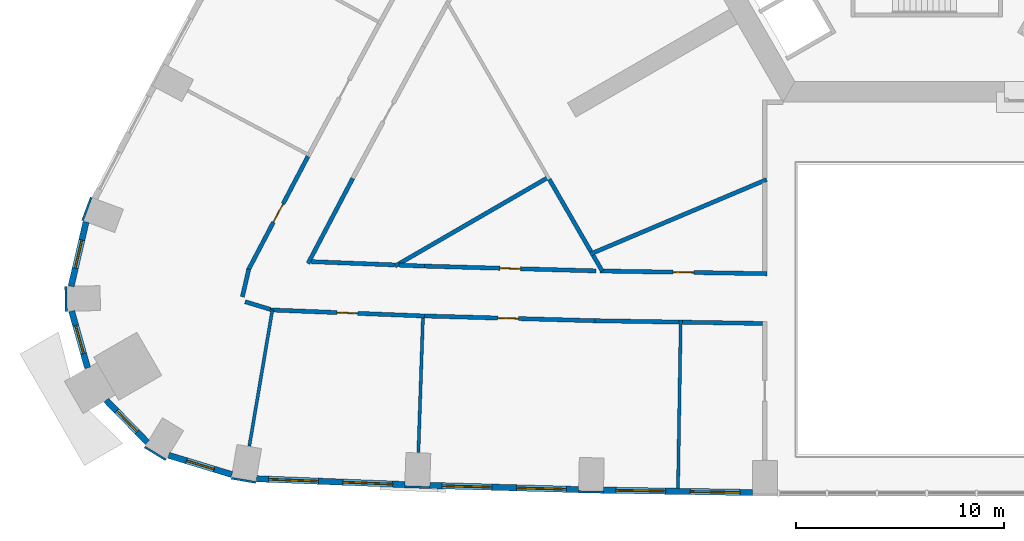
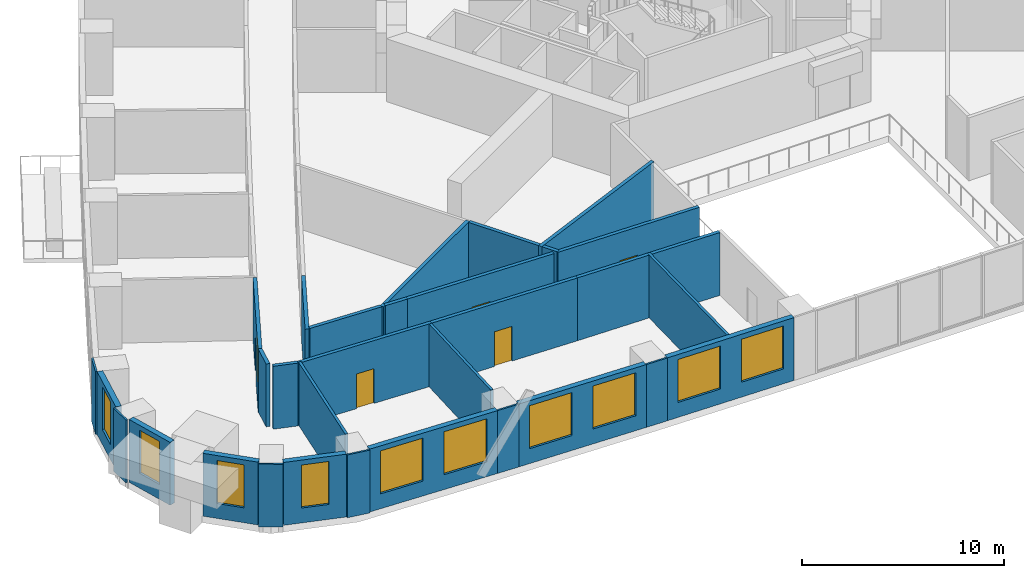
# One storey, part 4 of 16: 32 walls, 10 windows, 5 doors, 15 openings.
"""IFC4 building model written with IfcOpenShell, lengths in metres."""

from ifc_helpers import new_model, si_unit, direction, frame, frame_2d, origin, place, context, subcontext, project, spatial, rectangle, extrude, material, layer, layer_set, type_object, element, fill, save


model = new_model("IFC4")

# Units and contexts
model_context = context("Model", 3, precision=1e-05, world=origin(), true_north=direction((0.0, 1.0)))
body_context = subcontext(model_context, "Body", "Model", "MODEL_VIEW")
ifc_project = project(units=[si_unit("LENGTHUNIT", "METRE"), si_unit("AREAUNIT", "SQUARE_METRE"), si_unit("VOLUMEUNIT", "CUBIC_METRE"), si_unit("PLANEANGLEUNIT", "RADIAN"), si_unit("MASSUNIT", "GRAM", prefix="KILO")], contexts=[model_context])

# Site, building, storey
site_placement = place(None, origin())
site = spatial("IfcSite", under=ifc_project, at=site_placement, CompositionType="ELEMENT")
building_placement = place(site_placement, origin())
building = spatial("IfcBuilding", under=site, at=building_placement, Name="Entoto Arch Interchange Tower", CompositionType="ELEMENT")
storey_placement = place(building_placement, frame((0.0, 0.0, 43.39990234375)))
storey = spatial("IfcBuildingStorey", under=building, at=storey_placement, Name="L08", CompositionType="ELEMENT", Elevation=43.39990234375)

# Walls
ifc_material_1 = material(Name="Gypsum board partition on steel studs", Category="steel")
ifc_layer_1 = layer(ifc_material_1, 0.14990234375)
ifc_layer_set_1 = layer_set([ifc_layer_1], Name="Gypsum board partition on steel studs")
wall_type_1 = type_object("IfcWallType", Name="PARTITION 150", PredefinedType="PARTITIONING", material=ifc_layer_set_1)
wall_1_placement = place(storey_placement, frame((-31.514892578125, -19.506103515625, 0.0), z_axis=(0.0, 0.0, 1.0), x_axis=(-0.166785823947, -0.985993148521, 0.0)))
element("IfcWall", 1, at=wall_1_placement, inside=storey, type_object=wall_type_1, Name="wall:L08:p144", PredefinedType="PARTITIONING", context=body_context, shape_type="SweptSolid", body=[
    extrude(rectangle(XDim=6.650146484375, YDim=0.14990234375, at=frame_2d((3.3251953125, 0.0))), origin(), (0.0, 0.0, 1.0), 3.800048828125),
])
wall_2_placement = place(storey_placement, frame((-24.263916015625, -19.89208984375, 0.0), z_axis=(0.0, 0.0, 1.0), x_axis=(-0.033647289587, -0.999433769643, 0.0)))
element("IfcWall", 2, at=wall_2_placement, inside=storey, type_object=wall_type_1, Name="wall:L08:p145", PredefinedType="PARTITIONING", context=body_context, shape_type="SweptSolid", body=[
    extrude(rectangle(XDim=6.4794921875, YDim=0.14990234375, at=frame_2d((3.23974609375, 0.0))), origin(), (0.0, 0.0, 1.0), 3.800048828125),
])
wall_3_placement = place(storey_placement, frame((-11.847900390625, -19.990966796875, 0.0), z_axis=(0.0, 0.0, 1.0), x_axis=(-0.016305783899, -0.999867051868, 0.0)))
element("IfcWall", 3, at=wall_3_placement, inside=storey, type_object=wall_type_1, Name="wall:L08:p146", PredefinedType="PARTITIONING", context=body_context, shape_type="SweptSolid", body=[
    extrude(rectangle(XDim=8.10009765625, YDim=0.14990234375, at=frame_2d((4.050048828125, 0.0))), origin(), (0.0, 0.0, 1.0), 3.800048828125),
])

# Wall, opening, door
ifc_layer_2 = layer(ifc_material_1, 0.199951171875)
ifc_layer_set_2 = layer_set([ifc_layer_2], Name="Gypsum board partition on steel studs")
wall_type_2 = type_object("IfcWallType", Name="PARTITION 200", PredefinedType="PARTITIONING", material=ifc_layer_set_2)
wall_4_placement = place(storey_placement, frame((-15.72998046875, -17.626953125, 0.0), z_axis=(0.0, 0.0, 1.0), x_axis=(0.999866746812, -0.016324479129, 0.0)))
wall_4 = element("IfcWall", 4, at=wall_4_placement, inside=storey, type_object=wall_type_2, Name="wall:L08:p028", PredefinedType="PARTITIONING", context=body_context, shape_type="SweptSolid", body=[
    extrude(rectangle(XDim=8.031005859375, YDim=0.199951171875, at=frame_2d((4.015625, 0.0))), origin(), (0.0, 0.0, 1.0), 3.800048828125),
])
opening_1_placement = place(wall_4_placement, frame((3.514892578125, 0.0, 0.0)))
opening_1 = element("IfcOpeningElement", 5, at=opening_1_placement, cuts=wall_4, Name="Opening L08-D31", PredefinedType="OPENING", context=body_context, shape_type="SweptSolid", body=[
    extrude(rectangle(XDim=1.0, YDim=2.10009765625, at=frame_2d((0.5, 1.050048828125))), frame((0.0, 0.10986328125, 0.0), z_axis=(0.0, -1.0, 0.0), x_axis=(1.0, 0.0, 0.0)), (0.0, 0.0, 1.0), 0.219970703125),
])
ifc_material_2 = material(Name="Timber door leaf in Steel S235 frame", Category="steel")
door_type = type_object("IfcDoorType", Name="DOOR DS-10 1000x2100", OperationType="SINGLE_SWING_LEFT", PredefinedType="DOOR", material=ifc_material_2)
door_1_placement = place(opening_1_placement, origin())
door_1 = element("IfcDoor", 6, at=door_1_placement, inside=storey, type_object=door_type, Name="door:L08:31", OperationType="SINGLE_SWING_LEFT", OverallHeight=2.10009765625, OverallWidth=1.0, PredefinedType="DOOR", context=body_context, shape_type="SweptSolid", body=[
    extrude(rectangle(XDim=1.0, YDim=2.10009765625, at=frame_2d((0.5, 1.050048828125))), frame((0.0, 0.02490234375, 0.0), z_axis=(0.0, -1.0, 0.0), x_axis=(1.0, 0.0, 0.0)), (0.0, 0.0, 1.0), 0.050048828125),
])
fill(opening_1, door_1)

# Walls
wall_5_placement = place(storey_placement, frame((-27.64404296875, -13.1669921875, 0.0), z_axis=(0.0, 0.0, 1.0), x_axis=(-0.464919738277, -0.885352831904, 0.0)))
element("IfcWall", 7, at=wall_5_placement, inside=storey, type_object=wall_type_2, Name="wall:L08:p031", PredefinedType="PARTITIONING", context=body_context, shape_type="SweptSolid", body=[
    extrude(rectangle(XDim=4.62646484375, YDim=0.199951171875, at=frame_2d((2.313232421875, 0.0))), origin(), (0.0, 0.0, 1.0), 3.800048828125),
])
wall_6_placement = place(storey_placement, frame((-29.638916015625, -17.177978515625, 0.0), z_axis=(0.0, 0.0, 1.0), x_axis=(0.999228076722, -0.039284229546, 0.0)))
element("IfcWall", 8, at=wall_6_placement, inside=storey, type_object=wall_type_2, Name="wall:L08:p032", PredefinedType="PARTITIONING", context=body_context, shape_type="SweptSolid", body=[
    extrude(rectangle(XDim=4.02099609375, YDim=0.199951171875, at=frame_2d((2.010498046875, 0.0))), origin(), (0.0, 0.0, 1.0), 3.800048828125),
])
wall_7_placement = place(storey_placement, frame((-25.4208984375, -17.343994140625, 0.0), z_axis=(0.0, 0.0, 1.0), x_axis=(0.999219068508, -0.039512695804, 0.0)))
element("IfcWall", 9, at=wall_7_placement, inside=storey, type_object=wall_type_2, Name="wall:L08:p033", PredefinedType="PARTITIONING", context=body_context, shape_type="SweptSolid", body=[
    extrude(rectangle(XDim=1.241943359375, YDim=0.199951171875, at=frame_2d((0.62109375, 0.0))), origin(), (0.0, 0.0, 1.0), 3.800048828125),
])

# Wall, opening, door
wall_8_placement = place(storey_placement, frame((-24.179931640625, -17.39306640625, 0.0), z_axis=(0.0, 0.0, 1.0), x_axis=(0.999611380121, -0.02787631132, 0.0)))
wall_8 = element("IfcWall", 10, at=wall_8_placement, inside=storey, type_object=wall_type_2, Name="wall:L08:p034", PredefinedType="PARTITIONING", context=body_context, shape_type="SweptSolid", body=[
    extrude(rectangle(XDim=8.25, YDim=0.199951171875, at=frame_2d((4.125, 0.0))), origin(), (0.0, 0.0, 1.0), 3.800048828125),
])
opening_2_placement = place(wall_8_placement, frame((3.625, 0.0, 0.0)))
opening_2 = element("IfcOpeningElement", 11, at=opening_2_placement, cuts=wall_8, Name="Opening L08-D33", PredefinedType="OPENING", context=body_context, shape_type="SweptSolid", body=[
    extrude(rectangle(XDim=1.0, YDim=2.10009765625, at=frame_2d((0.5, 1.050048828125))), frame((0.0, 0.10986328125, 0.0), z_axis=(0.0, -1.0, 0.0), x_axis=(1.0, 0.0, 0.0)), (0.0, 0.0, 1.0), 0.219970703125),
])
door_2_placement = place(opening_2_placement, origin())
door_2 = element("IfcDoor", 12, at=door_2_placement, inside=storey, type_object=door_type, Name="door:L08:33", OperationType="SINGLE_SWING_RIGHT", OverallHeight=2.10009765625, OverallWidth=1.0, PredefinedType="DOOR", context=body_context, shape_type="SweptSolid", body=[
    extrude(rectangle(XDim=1.0, YDim=2.10009765625, at=frame_2d((0.5, 1.050048828125))), frame((0.0, 0.02490234375, 0.0), z_axis=(0.0, -1.0, 0.0), x_axis=(1.0, 0.0, 0.0)), (0.0, 0.0, 1.0), 0.050048828125),
])
fill(opening_2, door_2)

# Walls
wall_9_placement = place(storey_placement, frame((-31.611083984375, -19.47705078125, 0.0), z_axis=(0.0, 0.0, 1.0), x_axis=(-0.956459113118, 0.291866347723, 0.0)))
element("IfcWall", 13, at=wall_9_placement, inside=storey, type_object=wall_type_2, Name="wall:L08:p066", PredefinedType="PARTITIONING", context=body_context, shape_type="SweptSolid", body=[
    extrude(rectangle(XDim=1.26806640625, YDim=0.199951171875, at=frame_2d((0.634033203125, 0.0))), origin(), (0.0, 0.0, 1.0), 3.800048828125),
])
wall_10_placement = place(storey_placement, frame((-32.9599609375, -18.8740234375, 0.0), z_axis=(0.0, 0.0, 1.0), x_axis=(0.226081445763, 0.974108402531, 0.0)))
element("IfcWall", 14, at=wall_10_placement, inside=storey, type_object=wall_type_2, Name="wall:L08:p067", PredefinedType="PARTITIONING", context=body_context, shape_type="SweptSolid", body=[
    extrude(rectangle(XDim=1.371337890625, YDim=0.199951171875, at=frame_2d((0.685546875, 0.0))), origin(), (0.0, 0.0, 1.0), 3.800048828125),
])

# Wall, opening, door
wall_11_placement = place(storey_placement, frame((-32.696044921875, -17.6259765625, 0.0), z_axis=(0.0, 0.0, 1.0), x_axis=(0.464767882002, 0.885432558617, 0.0)))
wall_11 = element("IfcWall", 15, at=wall_11_placement, inside=storey, type_object=wall_type_2, Name="wall:L08:p068", PredefinedType="PARTITIONING", context=body_context, shape_type="SweptSolid", body=[
    extrude(rectangle(XDim=6.233154296875, YDim=0.199951171875, at=frame_2d((3.11669921875, 0.0))), origin(), (0.0, 0.0, 1.0), 3.800048828125),
])
opening_3_placement = place(wall_11_placement, frame((2.654052734375, 0.0, 0.0)))
opening_3 = element("IfcOpeningElement", 16, at=opening_3_placement, cuts=wall_11, Name="Opening L08-D19", PredefinedType="OPENING", context=body_context, shape_type="SweptSolid", body=[
    extrude(rectangle(XDim=1.0, YDim=2.10009765625, at=frame_2d((0.5, 1.050048828125))), frame((0.0, 0.10986328125, 0.0), z_axis=(0.0, -1.0, 0.0), x_axis=(1.0, 0.0, 0.0)), (0.0, 0.0, 1.0), 0.219970703125),
])
door_3_placement = place(opening_3_placement, origin())
door_3 = element("IfcDoor", 17, at=door_3_placement, inside=storey, type_object=door_type, Name="door:L08:19", OperationType="SINGLE_SWING_RIGHT", OverallHeight=2.10009765625, OverallWidth=1.0, PredefinedType="DOOR", context=body_context, shape_type="SweptSolid", body=[
    extrude(rectangle(XDim=1.0, YDim=2.10009765625, at=frame_2d((0.5, 1.050048828125))), frame((0.0, 0.02490234375, 0.0), z_axis=(0.0, -1.0, 0.0), x_axis=(1.0, 0.0, 0.0)), (0.0, 0.0, 1.0), 0.050048828125),
])
fill(opening_3, door_3)

wall_12_placement = place(storey_placement, frame((-24.18603515625, -19.794921875, 0.0), z_axis=(0.0, 0.0, 1.0), x_axis=(-0.9992284676, 0.039274285953, 0.0)))
wall_12 = element("IfcWall", 18, at=wall_12_placement, inside=storey, type_object=wall_type_2, Name="wall:L08:p069", PredefinedType="PARTITIONING", context=body_context, shape_type="SweptSolid", body=[
    extrude(rectangle(XDim=7.4345703125, YDim=0.199951171875, at=frame_2d((3.71728515625, 0.0))), origin(), (0.0, 0.0, 1.0), 3.800048828125),
])
opening_4_placement = place(wall_12_placement, frame((3.217041015625, 0.0, 0.0)))
opening_4 = element("IfcOpeningElement", 19, at=opening_4_placement, cuts=wall_12, Name="Opening L08-D20", PredefinedType="OPENING", context=body_context, shape_type="SweptSolid", body=[
    extrude(rectangle(XDim=1.0, YDim=2.10009765625, at=frame_2d((0.5, 1.050048828125))), frame((0.0, 0.10986328125, 0.0), z_axis=(0.0, -1.0, 0.0), x_axis=(1.0, 0.0, 0.0)), (0.0, 0.0, 1.0), 0.219970703125),
])
door_4_placement = place(opening_4_placement, origin())
door_4 = element("IfcDoor", 20, at=door_4_placement, inside=storey, type_object=door_type, Name="door:L08:20", OperationType="SINGLE_SWING_LEFT", OverallHeight=2.10009765625, OverallWidth=1.0, PredefinedType="DOOR", context=body_context, shape_type="SweptSolid", body=[
    extrude(rectangle(XDim=1.0, YDim=2.10009765625, at=frame_2d((0.5, 1.050048828125))), frame((0.0, 0.02490234375, 0.0), z_axis=(0.0, -1.0, 0.0), x_axis=(1.0, 0.0, 0.0)), (0.0, 0.0, 1.0), 0.050048828125),
])
fill(opening_4, door_4)

# Wall
wall_13_placement = place(storey_placement, frame((-11.924072265625, -20.089111328125, 0.0), z_axis=(0.0, 0.0, 1.0), x_axis=(-0.999867376665, 0.016285855216, 0.0)))
element("IfcWall", 21, at=wall_13_placement, inside=storey, type_object=wall_type_2, Name="wall:L08:p070", PredefinedType="PARTITIONING", context=body_context, shape_type="SweptSolid", body=[
    extrude(rectangle(XDim=4.0625, YDim=0.199951171875, at=frame_2d((2.03125, 0.0))), origin(), (0.0, 0.0, 1.0), 3.800048828125),
])

# Wall, opening, door
wall_14_placement = place(storey_placement, frame((-15.986083984375, -20.02294921875, 0.0), z_axis=(0.0, 0.0, 1.0), x_axis=(-0.999610256124, 0.027916587377, 0.0)))
wall_14 = element("IfcWall", 22, at=wall_14_placement, inside=storey, type_object=wall_type_2, Name="wall:L08:p071", PredefinedType="PARTITIONING", context=body_context, shape_type="SweptSolid", body=[
    extrude(rectangle(XDim=8.203125, YDim=0.199951171875, at=frame_2d((4.1015625, 0.0))), origin(), (0.0, 0.0, 1.0), 3.800048828125),
])
opening_5_placement = place(wall_14_placement, frame((3.677001953125, 0.0, 0.0)))
opening_5 = element("IfcOpeningElement", 23, at=opening_5_placement, cuts=wall_14, Name="Opening L08-D21", PredefinedType="OPENING", context=body_context, shape_type="SweptSolid", body=[
    extrude(rectangle(XDim=1.0, YDim=2.10009765625, at=frame_2d((0.5, 1.050048828125))), frame((0.0, 0.10986328125, 0.0), z_axis=(0.0, -1.0, 0.0), x_axis=(1.0, 0.0, 0.0)), (0.0, 0.0, 1.0), 0.219970703125),
])
door_5_placement = place(opening_5_placement, origin())
door_5 = element("IfcDoor", 24, at=door_5_placement, inside=storey, type_object=door_type, Name="door:L08:21", OperationType="SINGLE_SWING_RIGHT", OverallHeight=2.10009765625, OverallWidth=1.0, PredefinedType="DOOR", context=body_context, shape_type="SweptSolid", body=[
    extrude(rectangle(XDim=1.0, YDim=2.10009765625, at=frame_2d((0.5, 1.050048828125))), frame((0.0, 0.02490234375, 0.0), z_axis=(0.0, -1.0, 0.0), x_axis=(1.0, 0.0, 0.0)), (0.0, 0.0, 1.0), 0.050048828125),
])
fill(opening_5, door_5)

# Walls
wall_15_placement = place(storey_placement, frame((-7.89990234375, -20.155029296875, 0.0), z_axis=(0.0, 0.0, 1.0), x_axis=(-0.999867846419, 0.016256989184, 0.0)))
element("IfcWall", 25, at=wall_15_placement, inside=storey, type_object=wall_type_2, Name="wall:L08:p072", PredefinedType="PARTITIONING", context=body_context, shape_type="SweptSolid", body=[
    extrude(rectangle(XDim=3.87451171875, YDim=0.199951171875, at=frame_2d((1.937255859375, 0.0))), origin(), (0.0, 0.0, 1.0), 3.800048828125),
])
wall_16_placement = place(storey_placement, frame((-7.7080078125, -13.221923828125, 0.0), z_axis=(0.0, 0.0, 1.0), x_axis=(-0.921093468555, -0.389341523839, 0.0)))
element("IfcWall", 26, at=wall_16_placement, inside=storey, type_object=wall_type_2, Name="wall:L08:p121", PredefinedType="PARTITIONING", context=body_context, shape_type="SweptSolid", body=[
    extrude(rectangle(XDim=9.2333984375, YDim=0.199951171875, at=frame_2d((4.61669921875, 0.0))), origin(), (0.0, 0.0, 1.0), 3.800048828125),
])
wall_17_placement = place(storey_placement, frame((-16.1708984375, -16.69189453125, 0.0), z_axis=(0.0, 0.0, 1.0), x_axis=(-0.499813503007, 0.866133051102, 0.0)))
element("IfcWall", 27, at=wall_17_placement, inside=storey, type_object=wall_type_2, Name="wall:L08:p123", PredefinedType="PARTITIONING", context=body_context, shape_type="SweptSolid", body=[
    extrude(rectangle(XDim=4.0234375, YDim=0.199951171875, at=frame_2d((2.01171875, 0.0))), origin(), (0.0, 0.0, 1.0), 3.800048828125),
])
wall_18_placement = place(storey_placement, frame((-15.6298828125, -17.6279296875, 0.0), z_axis=(0.0, 0.0, 1.0), x_axis=(-0.500577563191, 0.865691690632, 0.0)))
element("IfcWall", 28, at=wall_18_placement, inside=storey, type_object=wall_type_2, Name="wall:L08:p124", PredefinedType="PARTITIONING", context=body_context, shape_type="SweptSolid", body=[
    extrude(rectangle(XDim=0.88134765625, YDim=0.199951171875, at=frame_2d((0.440673828125, 0.0))), origin(), (0.0, 0.0, 1.0), 3.800048828125),
])
wall_19_placement = place(storey_placement, frame((-18.2109375, -13.10791015625, 0.0), z_axis=(0.0, 0.0, 1.0), x_axis=(-0.865421721769, -0.501044153235, 0.0)))
element("IfcWall", 29, at=wall_19_placement, inside=storey, type_object=wall_type_2, Name="wall:L08:p125", PredefinedType="PARTITIONING", context=body_context, shape_type="SweptSolid", body=[
    extrude(rectangle(XDim=8.546142578125, YDim=0.199951171875, at=frame_2d((4.27294921875, 0.0))), origin(), (0.0, 0.0, 1.0), 3.800048828125),
])

# Wall, openings, windows
ifc_material_3 = material(Name="Welded tuff (ignimbrite) cladding, warm buff", Category="masonry")
ifc_layer_3 = layer(ifc_material_3, 0.300048828125)
ifc_layer_set_3 = layer_set([ifc_layer_3], Name="Welded tuff (ignimbrite) cladding, warm buff")
wall_type_3 = type_object("IfcWallType", Name="STONE INFILL WALL 300", PredefinedType="STANDARD", material=ifc_layer_set_3)
wall_20_placement = place(storey_placement, frame((-32.281982421875, -27.633056640625, 0.0), z_axis=(0.0, 0.0, 1.0), x_axis=(0.999228146648, -0.039282450878, 0.0)))
wall_20 = element("IfcWall", 30, at=wall_20_placement, inside=storey, type_object=wall_type_3, Name="Facade wall S-01 L08", PredefinedType="STANDARD", context=body_context, shape_type="SweptSolid", body=[
    extrude(rectangle(XDim=7.153564453125, YDim=0.300048828125, at=frame_2d((3.57666015625, 0.0))), origin(), (0.0, 0.0, 1.0), 3.800048828125),
])
opening_6_placement = place(wall_20_placement, frame((0.587890625, 0.0, 0.89990234375)))
opening_6 = element("IfcOpeningElement", 31, at=opening_6_placement, cuts=wall_20, Name="Opening WO-A", PredefinedType="OPENING", context=body_context, shape_type="SweptSolid", body=[
    extrude(rectangle(XDim=2.39990234375, YDim=2.60009765625, at=frame_2d((1.199951171875, 1.300048828125))), frame((0.0, 0.16015625, 0.0), z_axis=(0.0, -1.0, 0.0), x_axis=(1.0, 0.0, 0.0)), (0.0, 0.0, 1.0), 0.320068359375),
])
opening_7_placement = place(wall_20_placement, frame((4.1650390625, 0.0, 0.89990234375)))
opening_7 = element("IfcOpeningElement", 32, at=opening_7_placement, cuts=wall_20, Name="Opening WO-A", PredefinedType="OPENING", context=body_context, shape_type="SweptSolid", body=[
    extrude(rectangle(XDim=2.39990234375, YDim=2.60009765625, at=frame_2d((1.199951171875, 1.300048828125))), frame((0.0, 0.16015625, 0.0), z_axis=(0.0, -1.0, 0.0), x_axis=(1.0, 0.0, 0.0)), (0.0, 0.0, 1.0), 0.320068359375),
])
ifc_material_4 = material(Name="Clear glass, low-e double glazed", Category="glass")
window_type_1 = type_object("IfcWindowType", Name="WINDOW WO-A 2400x2600", PartitioningType="DOUBLE_PANEL_VERTICAL", PredefinedType="WINDOW", material=ifc_material_4)
window_1_placement = place(opening_6_placement, origin())
window_1 = element("IfcWindow", 33, at=window_1_placement, inside=storey, type_object=window_type_1, Name="Window WO-A S-01 L08", OverallHeight=2.60009765625, OverallWidth=2.39990234375, PartitioningType="SINGLE_PANEL", PredefinedType="WINDOW", context=body_context, shape_type="SweptSolid", body=[
    extrude(rectangle(XDim=2.39990234375, YDim=2.60009765625, at=frame_2d((1.199951171875, 1.300048828125))), frame((0.0, 0.030029296875, 0.0), z_axis=(0.0, -1.0, 0.0), x_axis=(1.0, 0.0, 0.0)), (0.0, 0.0, 1.0), 0.06005859375),
])
fill(opening_6, window_1)
window_2_placement = place(opening_7_placement, origin())
window_2 = element("IfcWindow", 34, at=window_2_placement, inside=storey, type_object=window_type_1, Name="Window WO-A S-01 L08", OverallHeight=2.60009765625, OverallWidth=2.39990234375, PartitioningType="SINGLE_PANEL", PredefinedType="WINDOW", context=body_context, shape_type="SweptSolid", body=[
    extrude(rectangle(XDim=2.39990234375, YDim=2.60009765625, at=frame_2d((1.199951171875, 1.300048828125))), frame((0.0, 0.030029296875, 0.0), z_axis=(0.0, -1.0, 0.0), x_axis=(1.0, 0.0, 0.0)), (0.0, 0.0, 1.0), 0.06005859375),
])
fill(opening_7, window_2)

wall_21_placement = place(storey_placement, frame((-23.93603515625, -27.9541015625, 0.0), z_axis=(0.0, 0.0, 1.0), x_axis=(0.999611502654, -0.02787191709, 0.0)))
wall_21 = element("IfcWall", 35, at=wall_21_placement, inside=storey, type_object=wall_type_3, Name="Facade wall S-02 L08", PredefinedType="STANDARD", context=body_context, shape_type="SweptSolid", body=[
    extrude(rectangle(XDim=7.173828125, YDim=0.300048828125, at=frame_2d((3.5869140625, 0.0))), origin(), (0.0, 0.0, 1.0), 3.800048828125),
])
opening_8_placement = place(wall_21_placement, frame((0.593017578125, 0.0, 0.89990234375)))
opening_8 = element("IfcOpeningElement", 36, at=opening_8_placement, cuts=wall_21, Name="Opening WO-A", PredefinedType="OPENING", context=body_context, shape_type="SweptSolid", body=[
    extrude(rectangle(XDim=2.39990234375, YDim=2.60009765625, at=frame_2d((1.199951171875, 1.300048828125))), frame((0.0, 0.16015625, 0.0), z_axis=(0.0, -1.0, 0.0), x_axis=(1.0, 0.0, 0.0)), (0.0, 0.0, 1.0), 0.320068359375),
])
opening_9_placement = place(wall_21_placement, frame((4.179931640625, 0.0, 0.89990234375)))
opening_9 = element("IfcOpeningElement", 37, at=opening_9_placement, cuts=wall_21, Name="Opening WO-A", PredefinedType="OPENING", context=body_context, shape_type="SweptSolid", body=[
    extrude(rectangle(XDim=2.39990234375, YDim=2.60009765625, at=frame_2d((1.199951171875, 1.300048828125))), frame((0.0, 0.16015625, 0.0), z_axis=(0.0, -1.0, 0.0), x_axis=(1.0, 0.0, 0.0)), (0.0, 0.0, 1.0), 0.320068359375),
])
window_3_placement = place(opening_8_placement, origin())
window_3 = element("IfcWindow", 38, at=window_3_placement, inside=storey, type_object=window_type_1, Name="Window WO-A S-02 L08", OverallHeight=2.60009765625, OverallWidth=2.39990234375, PartitioningType="SINGLE_PANEL", PredefinedType="WINDOW", context=body_context, shape_type="SweptSolid", body=[
    extrude(rectangle(XDim=2.39990234375, YDim=2.60009765625, at=frame_2d((1.199951171875, 1.300048828125))), frame((0.0, 0.030029296875, 0.0), z_axis=(0.0, -1.0, 0.0), x_axis=(1.0, 0.0, 0.0)), (0.0, 0.0, 1.0), 0.06005859375),
])
fill(opening_8, window_3)
window_4_placement = place(opening_9_placement, origin())
window_4 = element("IfcWindow", 39, at=window_4_placement, inside=storey, type_object=window_type_1, Name="Window WO-A S-02 L08", OverallHeight=2.60009765625, OverallWidth=2.39990234375, PartitioningType="SINGLE_PANEL", PredefinedType="WINDOW", context=body_context, shape_type="SweptSolid", body=[
    extrude(rectangle(XDim=2.39990234375, YDim=2.60009765625, at=frame_2d((1.199951171875, 1.300048828125))), frame((0.0, 0.030029296875, 0.0), z_axis=(0.0, -1.0, 0.0), x_axis=(1.0, 0.0, 0.0)), (0.0, 0.0, 1.0), 0.06005859375),
])
fill(opening_9, window_4)

wall_22_placement = place(storey_placement, frame((-15.568115234375, -28.180908203125, 0.0), z_axis=(0.0, 0.0, 1.0), x_axis=(0.999866467443, -0.016341581408, 0.0)))
wall_22 = element("IfcWall", 40, at=wall_22_placement, inside=storey, type_object=wall_type_3, Name="Facade wall S-03 L08", PredefinedType="STANDARD", context=body_context, shape_type="SweptSolid", body=[
    extrude(rectangle(XDim=7.171142578125, YDim=0.300048828125, at=frame_2d((3.58544921875, 0.0))), origin(), (0.0, 0.0, 1.0), 3.800048828125),
])
opening_10_placement = place(wall_22_placement, frame((0.593017578125, 0.0, 0.89990234375)))
opening_10 = element("IfcOpeningElement", 41, at=opening_10_placement, cuts=wall_22, Name="Opening WO-A", PredefinedType="OPENING", context=body_context, shape_type="SweptSolid", body=[
    extrude(rectangle(XDim=2.39990234375, YDim=2.60009765625, at=frame_2d((1.199951171875, 1.300048828125))), frame((0.0, 0.16015625, 0.0), z_axis=(0.0, -1.0, 0.0), x_axis=(1.0, 0.0, 0.0)), (0.0, 0.0, 1.0), 0.320068359375),
])
opening_11_placement = place(wall_22_placement, frame((4.177978515625, 0.0, 0.89990234375)))
opening_11 = element("IfcOpeningElement", 42, at=opening_11_placement, cuts=wall_22, Name="Opening WO-A", PredefinedType="OPENING", context=body_context, shape_type="SweptSolid", body=[
    extrude(rectangle(XDim=2.39990234375, YDim=2.60009765625, at=frame_2d((1.199951171875, 1.300048828125))), frame((0.0, 0.16015625, 0.0), z_axis=(0.0, -1.0, 0.0), x_axis=(1.0, 0.0, 0.0)), (0.0, 0.0, 1.0), 0.320068359375),
])
window_5_placement = place(opening_10_placement, origin())
window_5 = element("IfcWindow", 43, at=window_5_placement, inside=storey, type_object=window_type_1, Name="Window WO-A S-03 L08", OverallHeight=2.60009765625, OverallWidth=2.39990234375, PartitioningType="SINGLE_PANEL", PredefinedType="WINDOW", context=body_context, shape_type="SweptSolid", body=[
    extrude(rectangle(XDim=2.39990234375, YDim=2.60009765625, at=frame_2d((1.199951171875, 1.300048828125))), frame((0.0, 0.030029296875, 0.0), z_axis=(0.0, -1.0, 0.0), x_axis=(1.0, 0.0, 0.0)), (0.0, 0.0, 1.0), 0.06005859375),
])
fill(opening_10, window_5)
window_6_placement = place(opening_11_placement, origin())
window_6 = element("IfcWindow", 44, at=window_6_placement, inside=storey, type_object=window_type_1, Name="Window WO-A S-03 L08", OverallHeight=2.60009765625, OverallWidth=2.39990234375, PartitioningType="SINGLE_PANEL", PredefinedType="WINDOW", context=body_context, shape_type="SweptSolid", body=[
    extrude(rectangle(XDim=2.39990234375, YDim=2.60009765625, at=frame_2d((1.199951171875, 1.300048828125))), frame((0.0, 0.030029296875, 0.0), z_axis=(0.0, -1.0, 0.0), x_axis=(1.0, 0.0, 0.0)), (0.0, 0.0, 1.0), 0.06005859375),
])
fill(opening_11, window_6)

# Wall, opening, window
wall_23_placement = place(storey_placement, frame((-40.489013671875, -15.263916015625, 0.0), z_axis=(0.0, 0.0, 1.0), x_axis=(-0.225929520451, -0.974143650489, 0.0)))
wall_23 = element("IfcWall", 45, at=wall_23_placement, inside=storey, type_object=wall_type_3, Name="Facade wall SW-01 L08", PredefinedType="STANDARD", context=body_context, shape_type="SweptSolid", body=[
    extrude(rectangle(XDim=3.182373046875, YDim=0.300048828125, at=frame_2d((1.59130859375, 0.0))), origin(), (0.0, 0.0, 1.0), 3.800048828125),
])
opening_12_placement = place(wall_23_placement, frame((0.89111328125, 0.0, 0.89990234375)))
opening_12 = element("IfcOpeningElement", 46, at=opening_12_placement, cuts=wall_23, Name="Opening WO-B", PredefinedType="OPENING", context=body_context, shape_type="SweptSolid", body=[
    extrude(rectangle(XDim=1.39990234375, YDim=2.60009765625, at=frame_2d((0.699951171875, 1.300048828125))), frame((0.0, 0.16015625, 0.0), z_axis=(0.0, -1.0, 0.0), x_axis=(1.0, 0.0, 0.0)), (0.0, 0.0, 1.0), 0.320068359375),
])
window_type_2 = type_object("IfcWindowType", Name="WINDOW WO-B 1400x2600", PartitioningType="DOUBLE_PANEL_VERTICAL", PredefinedType="WINDOW", material=ifc_material_4)
window_7_placement = place(opening_12_placement, origin())
window_7 = element("IfcWindow", 47, at=window_7_placement, inside=storey, type_object=window_type_2, Name="Window WO-B SW-01 L08", OverallHeight=2.60009765625, OverallWidth=1.39990234375, PartitioningType="SINGLE_PANEL", PredefinedType="WINDOW", context=body_context, shape_type="SweptSolid", body=[
    extrude(rectangle(XDim=1.39990234375, YDim=2.60009765625, at=frame_2d((0.699951171875, 1.300048828125))), frame((0.0, 0.030029296875, 0.0), z_axis=(0.0, -1.0, 0.0), x_axis=(1.0, 0.0, 0.0)), (0.0, 0.0, 1.0), 0.06005859375),
])
fill(opening_12, window_7)

wall_24_placement = place(storey_placement, frame((-41.180908203125, -19.56201171875, 0.0), z_axis=(0.0, 0.0, 1.0), x_axis=(0.269754317033, -0.962929181426, 0.0)))
wall_24 = element("IfcWall", 48, at=wall_24_placement, inside=storey, type_object=wall_type_3, Name="Facade wall SW-02 L08", PredefinedType="STANDARD", context=body_context, shape_type="SweptSolid", body=[
    extrude(rectangle(XDim=2.839111328125, YDim=0.300048828125, at=frame_2d((1.41943359375, 0.0))), origin(), (0.0, 0.0, 1.0), 3.800048828125),
])
opening_13_placement = place(wall_24_placement, frame((0.719970703125, 0.0, 0.89990234375)))
opening_13 = element("IfcOpeningElement", 49, at=opening_13_placement, cuts=wall_24, Name="Opening WO-B", PredefinedType="OPENING", context=body_context, shape_type="SweptSolid", body=[
    extrude(rectangle(XDim=1.39990234375, YDim=2.60009765625, at=frame_2d((0.699951171875, 1.300048828125))), frame((0.0, 0.16015625, 0.0), z_axis=(0.0, -1.0, 0.0), x_axis=(1.0, 0.0, 0.0)), (0.0, 0.0, 1.0), 0.320068359375),
])
window_8_placement = place(opening_13_placement, origin())
window_8 = element("IfcWindow", 50, at=window_8_placement, inside=storey, type_object=window_type_2, Name="Window WO-B SW-02 L08", OverallHeight=2.60009765625, OverallWidth=1.39990234375, PartitioningType="SINGLE_PANEL", PredefinedType="WINDOW", context=body_context, shape_type="SweptSolid", body=[
    extrude(rectangle(XDim=1.39990234375, YDim=2.60009765625, at=frame_2d((0.699951171875, 1.300048828125))), frame((0.0, 0.030029296875, 0.0), z_axis=(0.0, -1.0, 0.0), x_axis=(1.0, 0.0, 0.0)), (0.0, 0.0, 1.0), 0.06005859375),
])
fill(opening_13, window_8)

wall_25_placement = place(storey_placement, frame((-39.51611328125, -23.85302734375, 0.0), z_axis=(0.0, 0.0, 1.0), x_axis=(0.699151821451, -0.714973237654, 0.0)))
wall_25 = element("IfcWall", 51, at=wall_25_placement, inside=storey, type_object=wall_type_3, Name="Facade wall SW-03 L08", PredefinedType="STANDARD", context=body_context, shape_type="SweptSolid", body=[
    extrude(rectangle(XDim=2.83935546875, YDim=0.300048828125, at=frame_2d((1.419677734375, 0.0))), origin(), (0.0, 0.0, 1.0), 3.800048828125),
])
opening_14_placement = place(wall_25_placement, frame((0.719970703125, 0.0, 0.89990234375)))
opening_14 = element("IfcOpeningElement", 52, at=opening_14_placement, cuts=wall_25, Name="Opening WO-B", PredefinedType="OPENING", context=body_context, shape_type="SweptSolid", body=[
    extrude(rectangle(XDim=1.39990234375, YDim=2.60009765625, at=frame_2d((0.699951171875, 1.300048828125))), frame((0.0, 0.16015625, 0.0), z_axis=(0.0, -1.0, 0.0), x_axis=(1.0, 0.0, 0.0)), (0.0, 0.0, 1.0), 0.320068359375),
])
window_9_placement = place(opening_14_placement, origin())
window_9 = element("IfcWindow", 53, at=window_9_placement, inside=storey, type_object=window_type_2, Name="Window WO-B SW-03 L08", OverallHeight=2.60009765625, OverallWidth=1.39990234375, PartitioningType="SINGLE_PANEL", PredefinedType="WINDOW", context=body_context, shape_type="SweptSolid", body=[
    extrude(rectangle(XDim=1.39990234375, YDim=2.60009765625, at=frame_2d((0.699951171875, 1.300048828125))), frame((0.0, 0.030029296875, 0.0), z_axis=(0.0, -1.0, 0.0), x_axis=(1.0, 0.0, 0.0)), (0.0, 0.0, 1.0), 0.06005859375),
])
fill(opening_14, window_9)

wall_26_placement = place(storey_placement, frame((-36.507080078125, -26.5048828125, 0.0), z_axis=(0.0, 0.0, 1.0), x_axis=(0.95648967224, -0.291766185322, 0.0)))
wall_26 = element("IfcWall", 54, at=wall_26_placement, inside=storey, type_object=wall_type_3, Name="Facade wall SW-04 L08", PredefinedType="STANDARD", context=body_context, shape_type="SweptSolid", body=[
    extrude(rectangle(XDim=3.181396484375, YDim=0.300048828125, at=frame_2d((1.5908203125, 0.0))), origin(), (0.0, 0.0, 1.0), 3.800048828125),
])
opening_15_placement = place(wall_26_placement, frame((0.89111328125, 0.0, 0.89990234375)))
opening_15 = element("IfcOpeningElement", 55, at=opening_15_placement, cuts=wall_26, Name="Opening WO-B", PredefinedType="OPENING", context=body_context, shape_type="SweptSolid", body=[
    extrude(rectangle(XDim=1.39990234375, YDim=2.60009765625, at=frame_2d((0.699951171875, 1.300048828125))), frame((0.0, 0.16015625, 0.0), z_axis=(0.0, -1.0, 0.0), x_axis=(1.0, 0.0, 0.0)), (0.0, 0.0, 1.0), 0.320068359375),
])
window_10_placement = place(opening_15_placement, origin())
window_10 = element("IfcWindow", 56, at=window_10_placement, inside=storey, type_object=window_type_2, Name="Window WO-B SW-04 L08", OverallHeight=2.60009765625, OverallWidth=1.39990234375, PartitioningType="SINGLE_PANEL", PredefinedType="WINDOW", context=body_context, shape_type="SweptSolid", body=[
    extrude(rectangle(XDim=1.39990234375, YDim=2.60009765625, at=frame_2d((0.699951171875, 1.300048828125))), frame((0.0, 0.030029296875, 0.0), z_axis=(0.0, -1.0, 0.0), x_axis=(1.0, 0.0, 0.0)), (0.0, 0.0, 1.0), 0.06005859375),
])
fill(opening_15, window_10)

# Walls
ifc_layer_4 = layer(ifc_material_3, 0.10009765625)
ifc_layer_set_4 = layer_set([ifc_layer_4], Name="Welded tuff (ignimbrite) cladding, warm buff")
wall_type_4 = type_object("IfcWallType", Name="STONE PIER CLADDING 100", PredefinedType="STANDARD", material=ifc_layer_set_4)
wall_27_placement = place(storey_placement, frame((-40.238037109375, -14.077880859375, 0.0), z_axis=(0.0, 0.0, 1.0), x_axis=(-0.348268249601, -0.937394914814, 0.0)))
element("IfcWall", 57, at=wall_27_placement, inside=storey, type_object=wall_type_4, Name="Stone pier NW10 L08", PredefinedType="STANDARD", context=body_context, shape_type="SweptSolid", body=[
    extrude(rectangle(XDim=1.2001953125, YDim=0.10009765625, at=frame_2d((0.60009765625, 0.0))), origin(), (0.0, 0.0, 1.0), 3.800048828125),
])
for number, where, z_axis, x_axis, name in (
    (58, (-33.493896484375, -27.60888671875, 0.0), (0.0, 0.0, 1.0), (0.98597830993, -0.166873522011, 0.0), "Stone pier S01 L08"),
    (59, (-25.137939453125, -28.01708984375, 0.0), (0.0, 0.0, 1.0), (0.999449640202, -0.033172529292, 0.0), "Stone pier S02 L08"),
):
    element("IfcWall", number, at=place(storey_placement, frame(where, z_axis=z_axis, x_axis=x_axis)), inside=storey, type_object=wall_type_4, Name=name, PredefinedType="STANDARD", context=body_context, shape_type="SweptSolid", body=[
        extrude(rectangle(XDim=1.19970703125, YDim=0.10009765625, at=frame_2d((0.599853515625, 0.0))), origin(), (0.0, 0.0, 1.0), 3.800048828125),
    ])
wall_28_placement = place(storey_placement, frame((-16.76904296875, -28.258056640625, 0.0), z_axis=(0.0, 0.0, 1.0), x_axis=(0.99976752127, -0.021561618973, 0.0)))
element("IfcWall", 60, at=wall_28_placement, inside=storey, type_object=wall_type_4, Name="Stone pier S03 L08", PredefinedType="STANDARD", context=body_context, shape_type="SweptSolid", body=[
    extrude(rectangle(XDim=1.2001953125, YDim=0.10009765625, at=frame_2d((0.60009765625, 0.0))), origin(), (0.0, 0.0, 1.0), 3.800048828125),
])
for number, where, z_axis, x_axis, name in (
    (61, (-41.467041015625, -18.368896484375, 0.0), (0.0, 0.0, 1.0), (0.02338660436, -0.999726495966, 0.0), "Stone pier SW1 L08"),
    (62, (-37.666015625, -26.10302734375, 0.0), (0.0, 0.0, 1.0), (0.854771404281, -0.51900466898, 0.0), "Stone pier SW3 L08"),
):
    element("IfcWall", number, at=place(storey_placement, frame(where, z_axis=z_axis, x_axis=x_axis)), inside=storey, type_object=wall_type_4, Name=name, PredefinedType="STANDARD", context=body_context, shape_type="SweptSolid", body=[
        extrude(rectangle(XDim=1.200439453125, YDim=0.10009765625, at=frame_2d((0.60009765625, 0.0))), origin(), (0.0, 0.0, 1.0), 3.800048828125),
    ])

save(model, "model.ifc")
